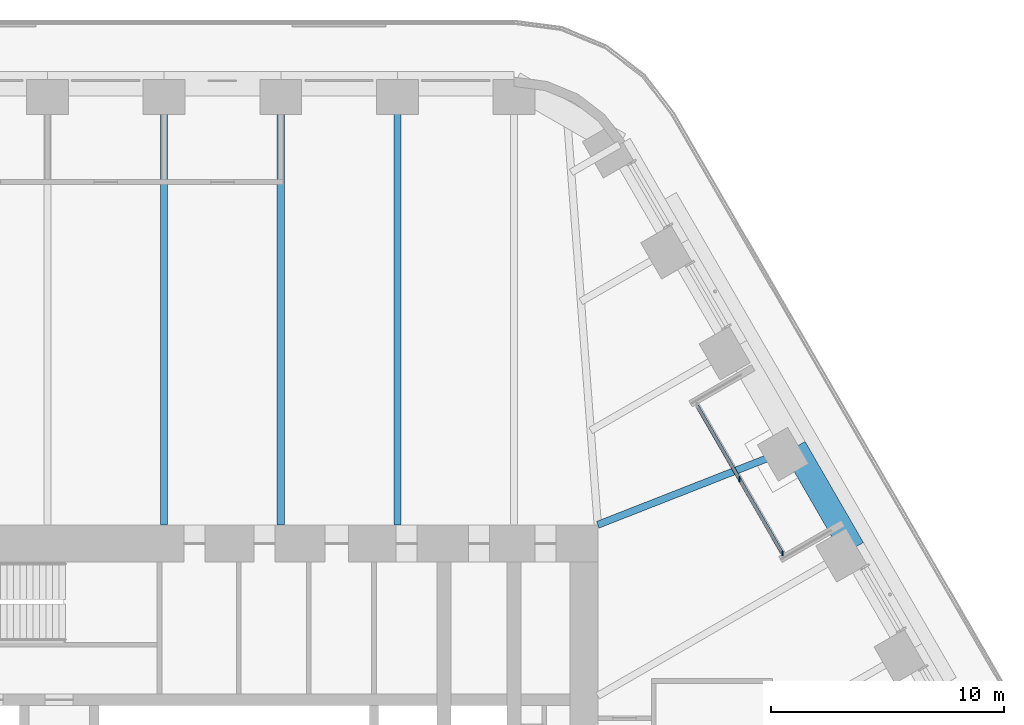
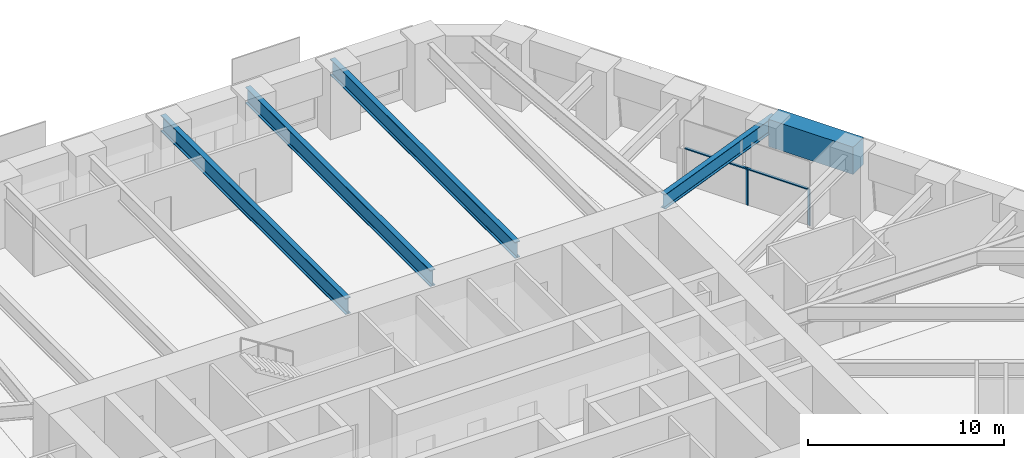
# One storey, part 11 of 24: 5 beams, 3 members, 1 element without a shape of its own.
"""IFC4 building model written with IfcOpenShell, lengths in metres."""

from ifc_helpers import new_model, si_unit, direction, frame, origin, origin_2d, place, context, subcontext, project, spatial, rectangle, i_section, extrude, material, material_profile, profile_set, type_object, element, aggregate, save


model = new_model("IFC4")

# Units and contexts
model_context = context("Model", 3, precision=1e-05, world=origin(), true_north=direction((0.0, 1.0)))
body_context = subcontext(model_context, "Body", "Model", "MODEL_VIEW")
ifc_project = project(units=[si_unit("LENGTHUNIT", "METRE"), si_unit("AREAUNIT", "SQUARE_METRE"), si_unit("VOLUMEUNIT", "CUBIC_METRE"), si_unit("PLANEANGLEUNIT", "RADIAN"), si_unit("MASSUNIT", "GRAM", prefix="KILO")], contexts=[model_context])

# Site, building, storey
site_placement = place(None, origin())
site = spatial("IfcSite", under=ifc_project, at=site_placement, CompositionType="ELEMENT")
building_placement = place(site_placement, origin())
building = spatial("IfcBuilding", under=site, at=building_placement, Name="Tarfa Lantern Tower", CompositionType="ELEMENT")
storey_placement = place(building_placement, frame((0.0, 0.0, 123.699951171875)))
storey = spatial("IfcBuildingStorey", under=building, at=storey_placement, Name="L27", CompositionType="ELEMENT", Elevation=123.699951171875)

# Curtain wall, members
ifc_material_1 = material(Name="Aluminium framed curtain wall", Category="aluminium")
curtain_wall_type = type_object("IfcCurtainWallType", Name="CW10 LOGGIA GLAZING 2300", PredefinedType="USERDEFINED", material=ifc_material_1)
curtain_wall_placement = place(storey_placement, origin())
curtain_wall = element("IfcCurtainWall", 1, at=curtain_wall_placement, inside=storey, type_object=curtain_wall_type, Name="CW10 NEL L27", ObjectType="CURTAIN WALL", PredefinedType="USERDEFINED")
ifc_material_2 = material(Name="Aluminium mullion", Category="aluminium")
ifc_material_profile_1 = material_profile(ifc_material_2, rectangle(XDim=0.06494140625, YDim=0.199951171875, at=origin_2d()), Name="AL MULLION 65x200")
ifc_profile_set_1 = profile_set([ifc_material_profile_1], Name="Aluminium mullion")
member_type_1 = type_object("IfcMemberType", Name="CWM1 MULLION 65x200", PredefinedType="MULLION", material=ifc_profile_set_1)
member_1_placement = place(storey_placement, frame((26.517333984375, 11.070556640625, 0.0), z_axis=(0.0, 0.0, 1.0), x_axis=(1.0, 0.0, 0.0)))
member_1 = element("IfcMember", 2, at=member_1_placement, type_object=member_type_1, Name="CW10 mullion 1", PredefinedType="MULLION", context=body_context, shape_type="SweptSolid", body=[
    extrude(rectangle(XDim=0.06494140625, YDim=0.199951171875, at=origin_2d()), origin(), (0.0, 0.0, 1.0), 2.300048828125),
])
member_2_placement = place(storey_placement, frame((24.681640625, 14.25, 0.0), z_axis=(0.0, 0.0, 1.0), x_axis=(1.0, 0.0, 0.0)))
member_2 = element("IfcMember", 3, at=member_2_placement, type_object=member_type_1, Name="CW10 mullion 2", PredefinedType="MULLION", context=body_context, shape_type="SweptSolid", body=[
    extrude(rectangle(XDim=0.06494140625, YDim=0.199951171875, at=origin_2d()), origin(), (0.0, 0.0, 1.0), 2.300048828125),
])
ifc_material_3 = material(Name="Aluminium transom", Category="aluminium")
ifc_material_profile_2 = material_profile(ifc_material_3, rectangle(XDim=0.14990234375, YDim=0.06494140625, at=origin_2d()), Name="AL TRANSOM 150x65")
ifc_profile_set_2 = profile_set([ifc_material_profile_2], Name="Aluminium transom")
member_type_2 = type_object("IfcMemberType", Name="CWT1 TRANSOM 150x65", PredefinedType="USERDEFINED", material=ifc_profile_set_2)
member_3_placement = place(storey_placement, frame((26.5009765625, 11.098876953125, 2.267578125), z_axis=(-0.500007048974, 0.866021334019, 0.0), x_axis=(-0.866021334019, -0.500007048974, 0.0)))
member_3 = element("IfcMember", 4, at=member_3_placement, type_object=member_type_2, Name="CW10 transom 1.2", ObjectType="TRANSOM", PredefinedType="USERDEFINED", context=body_context, shape_type="SweptSolid", body=[
    extrude(rectangle(XDim=0.14990234375, YDim=0.06494140625, at=origin_2d()), origin(), (0.0, 0.0, 1.0), 7.27734375),
])
aggregate(curtain_wall, [member_1, member_2, member_3])

# Beams
ifc_material_4 = material(Name="Concrete C80/95", Category="concrete")
ifc_material_profile_3 = material_profile(ifc_material_4, rectangle(XDim=1.050048828125, YDim=1.699951171875, at=origin_2d()), Name="RC 1050x1700")
ifc_profile_set_3 = profile_set([ifc_material_profile_3], Name="Concrete C80/95")
beam_type_1 = type_object("IfcBeamType", Name="RB2 RC 1050x1700", PredefinedType="BEAM", material=ifc_profile_set_3)
beam_1_placement = place(storey_placement, frame((29.5390625, 11.276611328125, 3.150146484375), z_axis=(-0.499964603504, 0.866045838996, 0.0), x_axis=(-0.866045838996, -0.499964603504, 0.0)))
element("IfcBeam", 5, at=beam_1_placement, inside=storey, type_object=beam_type_1, Name="Edge beam NE2", PredefinedType="BEAM", context=body_context, shape_type="SweptSolid", body=[
    extrude(rectangle(XDim=1.050048828125, YDim=1.699951171875, at=origin_2d()), origin(), (0.0, 0.0, 1.0), 5.003662109375),
])
ifc_material_5 = material(Name="Steel S460M", Category="steel")
ifc_material_profile_4 = material_profile(ifc_material_5, i_section(OverallWidth=0.302001953125, OverallDepth=1.008056640625, WebThickness=0.02099609375, FlangeThickness=0.0400390625, FilletRadius=0.030029296875, at=origin_2d()), Name="UB1016x305x349")
ifc_profile_set_4 = profile_set([ifc_material_profile_4], Name="Steel S460M")
beam_type_2 = type_object("IfcBeamType", Name="UB1016x305x349", PredefinedType="BEAM", material=ifc_profile_set_4)
for number, where, z_axis, x_axis, name in (
    (6, (10.00732421875, 31.219970703125, 3.49609375), (0.0, -1.0, 0.0), (1.0, 0.0, 0.0), "Floor beam N1"),
    (7, (5.003662109375, 31.219970703125, 3.49609375), (0.0, -1.0, 0.0), (1.0, 0.0, 0.0), "Floor beam N2"),
    (8, (0.0, 31.219970703125, 3.49609375), (0.0, -1.0, 0.0), (1.0, 0.0, 0.0), "Floor beam N3"),
):
    element("IfcBeam", number, at=place(storey_placement, frame(where, z_axis=z_axis, x_axis=x_axis)), inside=storey, type_object=beam_type_2, Name=name, PredefinedType="BEAM", context=body_context, shape_type="SweptSolid", body=[
        extrude(i_section(OverallWidth=0.302001953125, OverallDepth=1.008056640625, WebThickness=0.02099609375, FlangeThickness=0.0400390625, FilletRadius=0.030029296875, at=origin_2d()), origin(), (0.0, 0.0, 1.0), 18.919921875),
    ])
ifc_material_profile_5 = material_profile(ifc_material_5, i_section(OverallWidth=0.305419921875, OverallDepth=0.91845703125, WebThickness=0.017333984375, FlangeThickness=0.02783203125, FilletRadius=0.01904296875, at=origin_2d()), Name="UB914x305x253")
ifc_profile_set_5 = profile_set([ifc_material_profile_5], Name="Steel S460M")
beam_type_3 = type_object("IfcBeamType", Name="UB914x305x253", PredefinedType="BEAM", material=ifc_profile_set_5)
beam_2_placement = place(storey_placement, frame((27.037353515625, 15.610107421875, 3.540771484375), z_axis=(-0.930923282782, -0.365214788274, 0.0), x_axis=(0.365214788274, -0.930923282782, 0.0)))
element("IfcBeam", 9, at=beam_2_placement, inside=storey, type_object=beam_type_3, Name="Floor beam NE3", PredefinedType="BEAM", context=body_context, shape_type="SweptSolid", body=[
    extrude(i_section(OverallWidth=0.305419921875, OverallDepth=0.91845703125, WebThickness=0.017333984375, FlangeThickness=0.02783203125, FilletRadius=0.01904296875, at=origin_2d()), origin(), (0.0, 0.0, 1.0), 9.063232421875),
])

save(model, "model.ifc")
